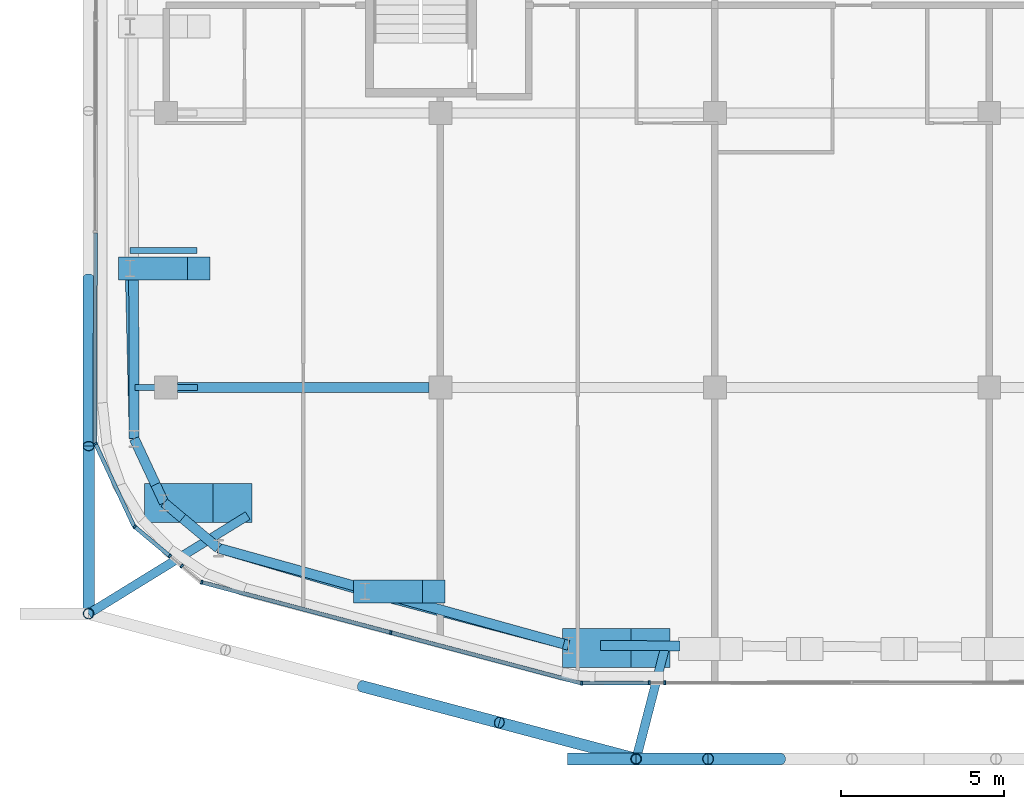
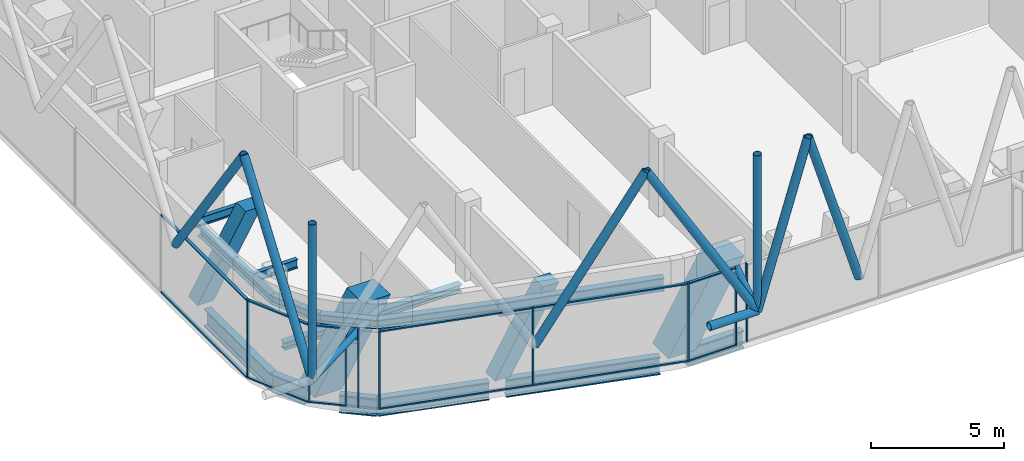
# One storey, part 2 of 25: 36 members, 14 beams, 9 elements without a shape of their own.
"""IFC4 building model written with IfcOpenShell, lengths in metres."""

from ifc_helpers import new_model, si_unit, direction, frame, origin, origin_2d, place, context, subcontext, project, spatial, rectangle, hollow_circle, i_section, extrude, material, layer, layer_set, material_profile, profile_set, type_object, element, aggregate, save


model = new_model("IFC4")

# Units and contexts
model_context = context("Model", 3, precision=1e-05, world=origin(), true_north=direction((0.0, 1.0)))
body_context = subcontext(model_context, "Body", "Model", "MODEL_VIEW")
ifc_project = project(units=[si_unit("LENGTHUNIT", "METRE"), si_unit("AREAUNIT", "SQUARE_METRE"), si_unit("VOLUMEUNIT", "CUBIC_METRE"), si_unit("PLANEANGLEUNIT", "RADIAN"), si_unit("MASSUNIT", "GRAM", prefix="KILO")], contexts=[model_context])

# Site, building, storey
site_placement = place(None, origin())
site = spatial("IfcSite", under=ifc_project, at=site_placement, CompositionType="ELEMENT")
building_placement = place(site_placement, origin())
building = spatial("IfcBuilding", under=site, at=building_placement, Name="Marenta Gate Hotel Tower", CompositionType="ELEMENT")
storey_placement = place(building_placement, frame((0.0, 0.0, 277.699951171875)))
storey = spatial("IfcBuildingStorey", under=building, at=storey_placement, Name="L64", CompositionType="ELEMENT", Elevation=277.699951171875)

# Members
ifc_material_1 = material(Name="Steel S355J2W", Category="steel")
ifc_material_profile_1 = material_profile(ifc_material_1, hollow_circle(Radius=0.161865234375, WallThickness=0.012451171875, at=origin_2d()), Name="CHS 323.9x12.5")
ifc_profile_set_1 = profile_set([ifc_material_profile_1], Name="Steel S355J2W")
member_type_1 = type_object("IfcMemberType", Name="Diagrid corner post C CHS 323.9x12.5", PredefinedType="POST", material=ifc_profile_set_1)
for number, where, z_axis, x_axis, name in (
    (1, (-6.60888671875, -36.570068359375, 3.14013671875), (0.0, 0.0, 1.0), (1.0, 0.0, 0.0), "L64-DR-10"),
    (2, (-23.3701171875, -32.123291015625, 3.14013671875), (0.0, 0.0, 1.0), (1.0, 0.0, 0.0), "L64-DR-11"),
):
    element("IfcMember", number, at=place(storey_placement, frame(where, z_axis=z_axis, x_axis=x_axis)), inside=storey, type_object=member_type_1, Name=name, PredefinedType="POST", context=body_context, shape_type="SweptSolid", body=[
        extrude(hollow_circle(Radius=0.161865234375, WallThickness=0.012451171875, at=origin_2d()), origin(), (0.0, 0.0, 1.0), 7.199951171875),
    ])
ifc_material_2 = material(Name="Steel S355J2W", Category="steel")
ifc_material_profile_2 = material_profile(ifc_material_2, hollow_circle(Radius=0.177734375, WallThickness=0.01611328125, at=origin_2d()), Name="CHS 355.6x16")
ifc_profile_set_2 = profile_set([ifc_material_profile_2], Name="Steel S355J2W")
member_type_2 = type_object("IfcMemberType", Name="Diagrid diagonal C CHS 355.6x16", PredefinedType="BRACE", material=ifc_profile_set_2)
member_1_placement = place(storey_placement, frame((-2.202880859375, -36.570068359375, 3.14013671875), z_axis=(-0.292599919446, 0.0, 0.956234953942), x_axis=(0.0, -1.0, 0.0)))
element("IfcMember", 3, at=member_1_placement, inside=storey, type_object=member_type_2, Name="L64-DG-19", PredefinedType="BRACE", context=body_context, shape_type="SweptSolid", body=[
    extrude(hollow_circle(Radius=0.177734375, WallThickness=0.01611328125, at=origin_2d()), origin(), (0.0, 0.0, 1.0), 7.529541015625),
])
member_2_placement = place(storey_placement, frame((-6.60888671875, -36.570068359375, 3.14013671875), z_axis=(0.292570270413, 0.0, 0.956244025796), x_axis=(0.0, 1.0, 0.0)))
element("IfcMember", 4, at=member_2_placement, inside=storey, type_object=member_type_2, Name="L64-DG-20", PredefinedType="BRACE", context=body_context, shape_type="SweptSolid", body=[
    extrude(hollow_circle(Radius=0.177734375, WallThickness=0.01611328125, at=origin_2d()), origin(), (0.0, 0.0, 1.0), 7.529296875),
])
member_3_placement = place(storey_placement, frame((-6.60888671875, -36.570068359375, 3.14013671875), z_axis=(-0.498595291069, 0.13228868303, 0.856681060878), x_axis=(-0.256449730421, -0.966557569815, 0.0)))
element("IfcMember", 5, at=member_3_placement, inside=storey, type_object=member_type_2, Name="L64-DG-21", PredefinedType="BRACE", context=body_context, shape_type="SweptSolid", body=[
    extrude(hollow_circle(Radius=0.177734375, WallThickness=0.01611328125, at=origin_2d()), origin(), (0.0, 0.0, 1.0), 8.404541015625),
])
member_4_placement = place(storey_placement, frame((-14.989501953125, -34.3466796875, 3.14013671875), z_axis=(0.498575378967, -0.132262057941, 0.856696760538), x_axis=(0.256411076507, 0.966567824751, 0.0)))
element("IfcMember", 6, at=member_4_placement, inside=storey, type_object=member_type_2, Name="L64-DG-22", PredefinedType="BRACE", context=body_context, shape_type="SweptSolid", body=[
    extrude(hollow_circle(Radius=0.177734375, WallThickness=0.01611328125, at=origin_2d()), origin(), (0.0, 0.0, 1.0), 8.404296875),
])
for number, where, z_axis, x_axis, name in (
    (7, (-23.3701171875, -32.123291015625, 3.14013671875), (0.0, 0.580231970533, 0.81445126335), (-1.0, 0.0, 0.0), "L64-DG-25"),
    (8, (-23.3701171875, -21.864501953125, 3.14013671875), (0.0, -0.580231970533, 0.81445126335), (1.0, 0.0, 0.0), "L64-DG-26"),
):
    element("IfcMember", number, at=place(storey_placement, frame(where, z_axis=z_axis, x_axis=x_axis)), inside=storey, type_object=member_type_2, Name=name, PredefinedType="BRACE", context=body_context, shape_type="SweptSolid", body=[
        extrude(hollow_circle(Radius=0.177734375, WallThickness=0.01611328125, at=origin_2d()), origin(), (0.0, 0.0, 1.0), 8.84033203125),
    ])

# Beams
ifc_material_3 = material(Name="Steel S355", Category="steel")
ifc_material_profile_3 = material_profile(ifc_material_3, i_section(OverallWidth=0.302978515625, OverallDepth=0.81396484375, WebThickness=0.030029296875, FlangeThickness=0.052001953125, FilletRadius=0.030029296875, at=origin_2d()), Name="HEM 800")
ifc_profile_set_3 = profile_set([ifc_material_profile_3], Name="Steel S355")
beam_type_1 = type_object("IfcBeamType", Name="Edge beam HEM 800", PredefinedType="SPANDREL", material=ifc_profile_set_3)
beam_1_placement = place(storey_placement, frame((-8.82763671875, -33.050048828125, -0.6669921875), z_axis=(-0.963628272095, 0.267246240794, 0.0), x_axis=(-0.267246240794, -0.963628272095, 0.0)))
element("IfcBeam", 9, at=beam_1_placement, inside=storey, type_object=beam_type_1, Name="L64-EB-1", PredefinedType="SPANDREL", context=body_context, shape_type="SweptSolid", body=[
    extrude(i_section(OverallWidth=0.302978515625, OverallDepth=0.81396484375, WebThickness=0.030029296875, FlangeThickness=0.052001953125, FilletRadius=0.030029296875, at=origin_2d()), origin(), (0.0, 0.0, 1.0), 5.985595703125),
])
beam_2_placement = place(storey_placement, frame((-15.21826171875, -31.277587890625, -0.6669921875), z_axis=(-0.963621892072, 0.26726924462, 0.0), x_axis=(-0.26726924462, -0.963621892072, 0.0)))
element("IfcBeam", 10, at=beam_2_placement, inside=storey, type_object=beam_type_1, Name="L64-EB-2", PredefinedType="SPANDREL", context=body_context, shape_type="SweptSolid", body=[
    extrude(i_section(OverallWidth=0.302978515625, OverallDepth=0.81396484375, WebThickness=0.030029296875, FlangeThickness=0.052001953125, FilletRadius=0.030029296875, at=origin_2d()), origin(), (0.0, 0.0, 1.0), 4.336181640625),
])
beam_3_placement = place(storey_placement, frame((-19.396728515625, -30.11865234375, -0.6669921875), z_axis=(-0.767142559017, 0.641476651286, 0.0), x_axis=(-0.641476651286, -0.767142559017, 0.0)))
element("IfcBeam", 11, at=beam_3_placement, inside=storey, type_object=beam_type_1, Name="L64-EB-3", PredefinedType="SPANDREL", context=body_context, shape_type="SweptSolid", body=[
    extrude(i_section(OverallWidth=0.302978515625, OverallDepth=0.81396484375, WebThickness=0.030029296875, FlangeThickness=0.052001953125, FilletRadius=0.030029296875, at=origin_2d()), origin(), (0.0, 0.0, 1.0), 1.429931640625),
])
beam_4_placement = place(storey_placement, frame((-21.320068359375, -28.169189453125, -0.6669921875), z_axis=(-0.423265429814, 0.90600572621, 0.0), x_axis=(-0.90600572621, -0.423265429814, 0.0)))
element("IfcBeam", 12, at=beam_4_placement, inside=storey, type_object=beam_type_1, Name="L64-EB-4", PredefinedType="SPANDREL", context=body_context, shape_type="SweptSolid", body=[
    extrude(i_section(OverallWidth=0.302978515625, OverallDepth=0.81396484375, WebThickness=0.030029296875, FlangeThickness=0.052001953125, FilletRadius=0.030029296875, at=origin_2d()), origin(), (0.0, 0.0, 1.0), 1.547607421875),
])
beam_5_placement = place(storey_placement, frame((-21.97509765625, -26.76708984375, -0.6669921875), z_axis=(-0.003334642021, 0.999994440066, 0.0), x_axis=(-0.999994440066, -0.003334642021, 0.0)))
element("IfcBeam", 13, at=beam_5_placement, inside=storey, type_object=beam_type_1, Name="L64-EB-5", PredefinedType="SPANDREL", context=body_context, shape_type="SweptSolid", body=[
    extrude(i_section(OverallWidth=0.302978515625, OverallDepth=0.81396484375, WebThickness=0.030029296875, FlangeThickness=0.052001953125, FilletRadius=0.030029296875, at=origin_2d()), origin(), (0.0, 0.0, 1.0), 4.9052734375),
])
beam_6_placement = place(storey_placement, frame((-5.27001953125, -33.107666015625, -0.6669921875), z_axis=(-0.999988431664, 0.004810045568, 0.0), x_axis=(-0.004810045568, -0.999988431664, 0.0)))
element("IfcBeam", 14, at=beam_6_placement, inside=storey, type_object=beam_type_1, Name="L64-EB-35", PredefinedType="SPANDREL", context=body_context, shape_type="SweptSolid", body=[
    extrude(i_section(OverallWidth=0.302978515625, OverallDepth=0.81396484375, WebThickness=0.030029296875, FlangeThickness=0.052001953125, FilletRadius=0.030029296875, at=origin_2d()), origin(), (0.0, 0.0, 1.0), 2.436279296875),
])

# Members
ifc_material_4 = material(Name="Concrete C50", Category="concrete")
ifc_material_profile_4 = material_profile(ifc_material_4, rectangle(XDim=0.699951171875, YDim=0.699951171875, at=origin_2d()), Name="700 x 700")
ifc_profile_set_4 = profile_set([ifc_material_profile_4], Name="Concrete C50")
member_type_3 = type_object("IfcMemberType", Name="Edge column raked 700 x 700 C50", PredefinedType="STRUT", material=ifc_profile_set_4)
member_5_placement = place(storey_placement, frame((-22.10009765625, -21.552001953125, 0.0), z_axis=(0.0, 0.0, 1.0), x_axis=(1.0, 0.0, 0.0)))
element("IfcMember", 15, at=member_5_placement, inside=storey, type_object=member_type_3, Name="L64-EC-SW-W-1", PredefinedType="STRUT", context=body_context, shape_type="SweptSolid", body=[
    extrude(rectangle(XDim=0.699951171875, YDim=0.699951171875, at=origin_2d()), origin(), (0.503878309678, 0.0, 0.863774651768), 4.16796875),
])
member_6_placement = place(storey_placement, frame((-14.90673828125, -31.439208984375, 0.0), z_axis=(0.0, 0.0, 1.0), x_axis=(1.0, 0.0, 0.0)))
element("IfcMember", 16, at=member_6_placement, inside=storey, type_object=member_type_3, Name="L64-EC-SKW-SW-1", PredefinedType="STRUT", context=body_context, shape_type="SweptSolid", body=[
    extrude(rectangle(XDim=0.699951171875, YDim=0.699951171875, at=origin_2d()), origin(), (0.503834603144, 0.0, 0.863800146258), 4.167724609375),
])
ifc_material_5 = material(Name="Steel S355J2W", Category="steel")
ifc_material_profile_5 = material_profile(ifc_material_5, hollow_circle(Radius=0.136474609375, WallThickness=0.012451171875, at=origin_2d()), Name="CHS 273x12.5")
ifc_profile_set_5 = profile_set([ifc_material_profile_5], Name="Steel S355J2W")
member_type_4 = type_object("IfcMemberType", Name="Floor tie CHS 273x12.5", PredefinedType="STRUT", material=ifc_profile_set_5)
member_7_placement = place(storey_placement, frame((-6.60888671875, -36.570068359375, 3.14013671875), z_axis=(0.251122714471, 0.967955258406, 0.0), x_axis=(-0.967955258406, 0.251122714471, 0.0)))
element("IfcMember", 17, at=member_7_placement, inside=storey, type_object=member_type_4, Name="L64-DR-16", PredefinedType="STRUT", context=body_context, shape_type="SweptSolid", body=[
    extrude(hollow_circle(Radius=0.136474609375, WallThickness=0.012451171875, at=origin_2d()), origin(), (0.0, 0.0, 1.0), 3.58837890625),
])
member_8_placement = place(storey_placement, frame((-23.3701171875, -32.123291015625, 3.14013671875), z_axis=(0.851303631922, 0.524673351978, 0.0), x_axis=(-0.524673351978, 0.851303631922, 0.0)))
element("IfcMember", 18, at=member_8_placement, inside=storey, type_object=member_type_4, Name="L64-DR-17", PredefinedType="STRUT", context=body_context, shape_type="SweptSolid", body=[
    extrude(hollow_circle(Radius=0.136474609375, WallThickness=0.012451171875, at=origin_2d()), origin(), (0.0, 0.0, 1.0), 5.722412109375),
])

# Beam
ifc_material_6 = material(Name="Steel S355", Category="steel")
ifc_material_profile_6 = material_profile(ifc_material_6, i_section(OverallWidth=0.300048828125, OverallDepth=0.340087890625, WebThickness=0.011962890625, FlangeThickness=0.021484375, FilletRadius=0.027099609375, at=origin_2d()), Name="HEB 340")
ifc_profile_set_6 = profile_set([ifc_material_profile_6], Name="Steel S355")
beam_type_2 = type_object("IfcBeamType", Name="Girder HEB 340", PredefinedType="BEAM", material=ifc_profile_set_6)
beam_7_placement = place(storey_placement, frame((-20.64990234375, -25.199951171875, -0.429931640625), z_axis=(1.0, 0.0, 0.0), x_axis=(0.0, 1.0, 0.0)))
element("IfcBeam", 19, at=beam_7_placement, inside=storey, type_object=beam_type_2, Name="L64-GD-1", PredefinedType="BEAM", context=body_context, shape_type="SweptSolid", body=[
    extrude(i_section(OverallWidth=0.300048828125, OverallDepth=0.340087890625, WebThickness=0.011962890625, FlangeThickness=0.021484375, FilletRadius=0.027099609375, at=origin_2d()), origin(), (0.0, 0.0, 1.0), 7.699951171875),
])

# Members
ifc_material_7 = material(Name="Concrete C50", Category="concrete")
ifc_material_profile_7 = material_profile(ifc_material_7, rectangle(XDim=1.199951171875, YDim=1.199951171875, at=origin_2d()), Name="1200 x 1200")
ifc_profile_set_7 = profile_set([ifc_material_profile_7], Name="Concrete C50")
member_type_5 = type_object("IfcMemberType", Name="Mega column raked 1200 x 1200 C50", PredefinedType="STRUT", material=ifc_profile_set_7)
for number, where, z_axis, x_axis, name in (
    (20, (-21.06298828125, -28.73291015625, 0.0), (0.0, 0.0, 1.0), (1.0, 0.0, 0.0), "L64-MC-SW"),
    (21, (-8.266357421875, -33.1748046875, 0.0), (0.0, 0.0, 1.0), (1.0, 0.0, 0.0), "L64-MC-SKW"),
):
    element("IfcMember", number, at=place(storey_placement, frame(where, z_axis=z_axis, x_axis=x_axis)), inside=storey, type_object=member_type_5, Name=name, PredefinedType="STRUT", context=body_context, shape_type="SweptSolid", body=[
        extrude(rectangle(XDim=1.199951171875, YDim=1.199951171875, at=origin_2d()), origin(), (0.503878309678, 0.0, 0.863774651768), 4.16796875),
    ])

# Curtain wall, member
ifc_material_8 = material(Name="Tinted insulated glass in bronze anodised frame", Category="glass")
ifc_layer = layer(ifc_material_8, 0.1201171875)
ifc_layer_set = layer_set([ifc_layer], Name="Tinted insulated glass in bronze anodised frame")
curtain_wall_type = type_object("IfcCurtainWallType", Name="Tower unitised curtain wall CW1", PredefinedType="NOTDEFINED", material=ifc_layer_set)
curtain_wall_1_placement = place(storey_placement, origin())
curtain_wall_1 = element("IfcCurtainWall", 22, at=curtain_wall_1_placement, inside=storey, type_object=curtain_wall_type, Name="CW1 run G05", PredefinedType="NOTDEFINED")
ifc_material_9 = material(Name="Bronze anodised aluminium", Category="aluminium")
ifc_material_profile_8 = material_profile(ifc_material_9, rectangle(XDim=0.1201171875, YDim=0.06005859375, at=origin_2d()), Name="Mullion CW1 60x120 bronze anodised aluminium")
ifc_profile_set_8 = profile_set([ifc_material_profile_8], Name="Bronze anodised aluminium")
member_type_6 = type_object("IfcMemberType", Name="Mullion CW1 60x120 bronze anodised aluminium", PredefinedType="MULLION", material=ifc_profile_set_8)
member_9_placement = place(storey_placement, frame((-23.160400390625, -26.9208984375, 0.0), z_axis=(0.0, 0.0, 1.0), x_axis=(0.905972194447, 0.42333719762, 0.0)))
member_9 = element("IfcMember", 23, at=member_9_placement, type_object=member_type_6, Name="CW1 mullion 1", PredefinedType="MULLION", context=body_context, shape_type="SweptSolid", body=[
    extrude(rectangle(XDim=0.1201171875, YDim=0.06005859375, at=origin_2d()), origin(), (0.0, 0.0, 1.0), 3.60009765625),
])

curtain_wall_2_placement = place(storey_placement, origin())
curtain_wall_2 = element("IfcCurtainWall", 24, at=curtain_wall_2_placement, inside=storey, type_object=curtain_wall_type, Name="CW1 run G06", PredefinedType="NOTDEFINED")
member_10_placement = place(storey_placement, frame((-21.9599609375, -29.4599609375, 0.0), z_axis=(0.0, 0.0, 1.0), x_axis=(0.641517028686, 0.767108794048, 0.0)))
member_10 = element("IfcMember", 25, at=member_10_placement, type_object=member_type_6, Name="CW1 mullion 1", PredefinedType="MULLION", context=body_context, shape_type="SweptSolid", body=[
    extrude(rectangle(XDim=0.1201171875, YDim=0.06005859375, at=origin_2d()), origin(), (0.0, 0.0, 1.0), 3.60009765625),
])

curtain_wall_3_placement = place(storey_placement, origin())
curtain_wall_3 = element("IfcCurtainWall", 26, at=curtain_wall_3_placement, inside=storey, type_object=curtain_wall_type, Name="CW1 run G07", PredefinedType="NOTDEFINED")
member_11_placement = place(storey_placement, frame((-20.885009765625, -30.35888671875, 0.0), z_axis=(0.0, 0.0, 1.0), x_axis=(0.641604484347, 0.767035648237, 0.0)))
member_11 = element("IfcMember", 27, at=member_11_placement, type_object=member_type_6, Name="CW1 mullion 1", PredefinedType="MULLION", context=body_context, shape_type="SweptSolid", body=[
    extrude(rectangle(XDim=0.1201171875, YDim=0.06005859375, at=origin_2d()), origin(), (0.0, 0.0, 1.0), 3.00048828125),
])
aggregate(curtain_wall_3, [member_11])

curtain_wall_4_placement = place(storey_placement, origin())
curtain_wall_4 = element("IfcCurtainWall", 28, at=curtain_wall_4_placement, inside=storey, type_object=curtain_wall_type, Name="CW1 run G08", PredefinedType="NOTDEFINED")
member_12_placement = place(storey_placement, frame((-20.5185546875, -30.665283203125, 0.0), z_axis=(0.0, 0.0, 1.0), x_axis=(0.641490224369, 0.767131209141, 0.0)))
member_12 = element("IfcMember", 29, at=member_12_placement, type_object=member_type_6, Name="CW1 mullion 1", PredefinedType="MULLION", context=body_context, shape_type="SweptSolid", body=[
    extrude(rectangle(XDim=0.1201171875, YDim=0.06005859375, at=origin_2d()), origin(), (0.0, 0.0, 1.0), 3.60009765625),
])
aggregate(curtain_wall_4, [member_12])

# Curtain wall, members
curtain_wall_5_placement = place(storey_placement, origin())
curtain_wall_5 = element("IfcCurtainWall", 30, at=curtain_wall_5_placement, inside=storey, type_object=curtain_wall_type, Name="CW1 run G09", PredefinedType="NOTDEFINED")
member_13_placement = place(storey_placement, frame((-19.90625, -31.160888671875, 0.0), z_axis=(0.0, 0.0, 1.0), x_axis=(0.257133501765, 0.966375890775, 0.0)))
member_13 = element("IfcMember", 31, at=member_13_placement, type_object=member_type_6, Name="CW1 mullion 1", PredefinedType="MULLION", context=body_context, shape_type="SweptSolid", body=[
    extrude(rectangle(XDim=0.1201171875, YDim=0.06005859375, at=origin_2d()), origin(), (0.0, 0.0, 1.0), 3.60009765625),
])
member_14_placement = place(storey_placement, frame((-14.12060546875, -32.7001953125, 0.0), z_axis=(0.0, 0.0, 1.0), x_axis=(0.257133501765, 0.966375890775, 0.0)))
member_14 = element("IfcMember", 32, at=member_14_placement, type_object=member_type_6, Name="CW1 mullion 2", PredefinedType="MULLION", context=body_context, shape_type="SweptSolid", body=[
    extrude(rectangle(XDim=0.1201171875, YDim=0.06005859375, at=origin_2d()), origin(), (0.0, 0.0, 1.0), 3.60009765625),
])

# Curtain wall, member
curtain_wall_6_placement = place(storey_placement, origin())
curtain_wall_6 = element("IfcCurtainWall", 33, at=curtain_wall_6_placement, inside=storey, type_object=curtain_wall_type, Name="CW1 run G10", PredefinedType="NOTDEFINED")
member_15_placement = place(storey_placement, frame((-8.276123046875, -34.247314453125, 0.0), z_axis=(0.0, 0.0, 1.0), x_axis=(-0.002080405783, 0.999997835954, 0.0)))
member_15 = element("IfcMember", 34, at=member_15_placement, type_object=member_type_6, Name="CW1 mullion 1", PredefinedType="MULLION", context=body_context, shape_type="SweptSolid", body=[
    extrude(rectangle(XDim=0.1201171875, YDim=0.06005859375, at=origin_2d()), origin(), (0.0, 0.0, 1.0), 3.60009765625),
])

curtain_wall_7_placement = place(storey_placement, origin())
curtain_wall_7 = element("IfcCurtainWall", 35, at=curtain_wall_7_placement, inside=storey, type_object=curtain_wall_type, Name="CW1 run G11", PredefinedType="NOTDEFINED")
member_16_placement = place(storey_placement, frame((-6.209228515625, -34.2431640625, 0.0), z_axis=(0.0, 0.0, 1.0), x_axis=(-0.001921841419, 0.999998153261, 0.0)))
member_16 = element("IfcMember", 36, at=member_16_placement, type_object=member_type_6, Name="CW1 mullion 1", PredefinedType="MULLION", context=body_context, shape_type="SweptSolid", body=[
    extrude(rectangle(XDim=0.1201171875, YDim=0.06005859375, at=origin_2d()), origin(), (0.0, 0.0, 1.0), 3.00048828125),
])
aggregate(curtain_wall_7, [member_16])

curtain_wall_8_placement = place(storey_placement, origin())
curtain_wall_8 = element("IfcCurtainWall", 37, at=curtain_wall_8_placement, inside=storey, type_object=curtain_wall_type, Name="CW1 run G12", PredefinedType="NOTDEFINED")
member_17_placement = place(storey_placement, frame((-5.740966796875, -34.2421875, 0.0), z_axis=(0.0, 0.0, 1.0), x_axis=(-0.00206317394, 0.999997871654, 0.0)))
member_17 = element("IfcMember", 38, at=member_17_placement, type_object=member_type_6, Name="CW1 mullion 1", PredefinedType="MULLION", context=body_context, shape_type="SweptSolid", body=[
    extrude(rectangle(XDim=0.1201171875, YDim=0.06005859375, at=origin_2d()), origin(), (0.0, 0.0, 1.0), 3.60009765625),
])
aggregate(curtain_wall_8, [member_17])

# Member
ifc_material_10 = material(Name="Steel S355J2W", Category="steel")
ifc_material_profile_9 = material_profile(ifc_material_10, hollow_circle(Radius=0.177734375, WallThickness=0.01611328125, at=origin_2d()), Name="CHS 355.6x16")
ifc_profile_set_9 = profile_set([ifc_material_profile_9], Name="Steel S355J2W")
member_type_7 = type_object("IfcMemberType", Name="Setback strut CHS 355.6x16", PredefinedType="STRUT", material=ifc_profile_set_9)
member_18_placement = place(storey_placement, frame((-8.708984375, -36.570068359375, 3.14013671875), z_axis=(1.0, 0.0, 0.0), x_axis=(0.0, 1.0, 0.0)))
element("IfcMember", 39, at=member_18_placement, inside=storey, type_object=member_type_7, Name="L64-DR-4", PredefinedType="STRUT", context=body_context, shape_type="SweptSolid", body=[
    extrude(hollow_circle(Radius=0.177734375, WallThickness=0.01611328125, at=origin_2d()), origin(), (0.0, 0.0, 1.0), 2.10009765625),
])

# Beams
ifc_material_11 = material(Name="Steel S355", Category="steel")
ifc_material_profile_10 = material_profile(ifc_material_11, i_section(OverallWidth=0.179931640625, OverallDepth=0.39990234375, WebThickness=0.008544921875, FlangeThickness=0.013427734375, FilletRadius=0.02099609375, at=origin_2d()), Name="IPE 400")
ifc_profile_set_10 = profile_set([ifc_material_profile_10], Name="Steel S355")
beam_type_3 = type_object("IfcBeamType", Name="Terrace beam IPE 400", PredefinedType="JOIST", material=ifc_profile_set_10)
beam_8_placement = place(storey_placement, frame((-21.948974609375, -25.199951171875, 3.14013671875), z_axis=(1.0, 0.0, 0.0), x_axis=(0.0, 1.0, 0.0)))
element("IfcBeam", 40, at=beam_8_placement, inside=storey, type_object=beam_type_3, Name="L64-TB-11", PredefinedType="JOIST", context=body_context, shape_type="SweptSolid", body=[
    extrude(i_section(OverallWidth=0.179931640625, OverallDepth=0.39990234375, WebThickness=0.008544921875, FlangeThickness=0.013427734375, FilletRadius=0.02099609375, at=origin_2d()), origin(), (0.0, 0.0, 1.0), 1.917724609375),
])
beam_9_placement = place(storey_placement, frame((-22.10009765625, -21.0, 3.14013671875), z_axis=(1.0, 0.0, 0.0), x_axis=(0.0, 1.0, 0.0)))
element("IfcBeam", 41, at=beam_9_placement, inside=storey, type_object=beam_type_3, Name="L64-TB-12", PredefinedType="JOIST", context=body_context, shape_type="SweptSolid", body=[
    extrude(i_section(OverallWidth=0.179931640625, OverallDepth=0.39990234375, WebThickness=0.008544921875, FlangeThickness=0.013427734375, FilletRadius=0.02099609375, at=origin_2d()), origin(), (0.0, 0.0, 1.0), 2.0546875),
])
ifc_material_12 = material(Name="Steel S355", Category="steel")
ifc_material_profile_11 = material_profile(ifc_material_12, i_section(OverallWidth=0.300048828125, OverallDepth=0.39990234375, WebThickness=0.013427734375, FlangeThickness=0.02392578125, FilletRadius=0.027099609375, at=origin_2d()), Name="HEB 400")
ifc_profile_set_11 = profile_set([ifc_material_profile_11], Name="Steel S355")
beam_type_4 = type_object("IfcBeamType", Name="Terrace edge beam HEB 400", PredefinedType="SPANDREL", material=ifc_profile_set_11)
beam_10_placement = place(storey_placement, frame((-14.90673828125, -31.439208984375, 3.14013671875), z_axis=(-0.959367162861, 0.282160675543, 0.0), x_axis=(-0.282160675543, -0.959367162861, 0.0)))
element("IfcBeam", 42, at=beam_10_placement, inside=storey, type_object=beam_type_4, Name="L64-TE-2", PredefinedType="SPANDREL", context=body_context, shape_type="SweptSolid", body=[
    extrude(i_section(OverallWidth=0.300048828125, OverallDepth=0.39990234375, WebThickness=0.013427734375, FlangeThickness=0.02392578125, FilletRadius=0.027099609375, at=origin_2d()), origin(), (0.0, 0.0, 1.0), 4.68017578125),
])
beam_11_placement = place(storey_placement, frame((-19.396728515625, -30.11865234375, 3.14013671875), z_axis=(-0.76714847247, 0.641469579316, 0.0), x_axis=(-0.641469579316, -0.76714847247, 0.0)))
element("IfcBeam", 43, at=beam_11_placement, inside=storey, type_object=beam_type_4, Name="L64-TE-3", PredefinedType="SPANDREL", context=body_context, shape_type="SweptSolid", body=[
    extrude(i_section(OverallWidth=0.300048828125, OverallDepth=0.39990234375, WebThickness=0.013427734375, FlangeThickness=0.02392578125, FilletRadius=0.027099609375, at=origin_2d()), origin(), (0.0, 0.0, 1.0), 2.166015625),
])
beam_12_placement = place(storey_placement, frame((-21.058349609375, -28.729248046875, 3.14013671875), z_axis=(-0.423292723631, 0.905992974653, 0.0), x_axis=(-0.905992974653, -0.423292723631, 0.0)))
element("IfcBeam", 44, at=beam_12_placement, inside=storey, type_object=beam_type_4, Name="L64-TE-4", PredefinedType="SPANDREL", context=body_context, shape_type="SweptSolid", body=[
    extrude(i_section(OverallWidth=0.300048828125, OverallDepth=0.39990234375, WebThickness=0.013427734375, FlangeThickness=0.02392578125, FilletRadius=0.027099609375, at=origin_2d()), origin(), (0.0, 0.0, 1.0), 2.165771484375),
])
beam_13_placement = place(storey_placement, frame((-21.97509765625, -26.76708984375, 3.14013671875), z_axis=(-0.023962033101, 0.999712869263, 0.0), x_axis=(-0.999712869263, -0.023962033101, 0.0)))
element("IfcBeam", 45, at=beam_13_placement, inside=storey, type_object=beam_type_4, Name="L64-TE-5", PredefinedType="SPANDREL", context=body_context, shape_type="SweptSolid", body=[
    extrude(i_section(OverallWidth=0.300048828125, OverallDepth=0.39990234375, WebThickness=0.013427734375, FlangeThickness=0.02392578125, FilletRadius=0.027099609375, at=origin_2d()), origin(), (0.0, 0.0, 1.0), 5.216552734375),
])
ifc_material_13 = material(Name="Steel S355", Category="steel")
ifc_material_profile_12 = material_profile(ifc_material_13, i_section(OverallWidth=0.300048828125, OverallDepth=0.60009765625, WebThickness=0.015380859375, FlangeThickness=0.030029296875, FilletRadius=0.027099609375, at=origin_2d()), Name="HEB 600")
ifc_profile_set_12 = profile_set([ifc_material_profile_12], Name="Steel S355")
beam_type_5 = type_object("IfcBeamType", Name="Terrace edge beam HEB 600", PredefinedType="SPANDREL", material=ifc_profile_set_12)
beam_14_placement = place(storey_placement, frame((-8.678955078125, -33.09130859375, 3.0400390625), z_axis=(-0.966568074256, 0.256410135971, 0.0), x_axis=(-0.256410135971, -0.966568074256, 0.0)))
element("IfcBeam", 46, at=beam_14_placement, inside=storey, type_object=beam_type_5, Name="L64-TE-1", PredefinedType="SPANDREL", context=body_context, shape_type="SweptSolid", body=[
    extrude(i_section(OverallWidth=0.300048828125, OverallDepth=0.60009765625, WebThickness=0.015380859375, FlangeThickness=0.030029296875, FilletRadius=0.027099609375, at=origin_2d()), origin(), (0.0, 0.0, 1.0), 6.443115234375),
])

# Curtain wall, members
curtain_wall_9_placement = place(storey_placement, origin())
curtain_wall_9 = element("IfcCurtainWall", 47, at=curtain_wall_9_placement, inside=storey, type_object=curtain_wall_type, Name="CW1 run G04", PredefinedType="NOTDEFINED")
ifc_material_14 = material(Name="Bronze anodised aluminium", Category="aluminium")
ifc_material_profile_13 = material_profile(ifc_material_14, rectangle(XDim=0.1201171875, YDim=0.06005859375, at=origin_2d()), Name="Transom CW1 60x120 bronze anodised aluminium")
ifc_profile_set_13 = profile_set([ifc_material_profile_13], Name="Bronze anodised aluminium")
member_type_8 = type_object("IfcMemberType", Name="Transom CW1 60x120 bronze anodised aluminium", PredefinedType="USERDEFINED", material=ifc_profile_set_13)
member_19_placement = place(storey_placement, frame((-23.162841796875, -20.4638671875, 0.030029296875), z_axis=(-0.001594712632, -0.999998728445, 0.0), x_axis=(0.999998728445, -0.001594712632, 0.0)))
member_19 = element("IfcMember", 48, at=member_19_placement, type_object=member_type_8, Name="CW1 transom 6.1", ObjectType="TRANSOM", PredefinedType="USERDEFINED", context=body_context, shape_type="SweptSolid", body=[
    extrude(rectangle(XDim=0.1201171875, YDim=0.06005859375, at=origin_2d()), origin(), (0.0, 0.0, 1.0), 6.429931640625),
])
member_20_placement = place(storey_placement, frame((-23.162841796875, -20.4638671875, 3.570068359375), z_axis=(-0.001594712632, -0.999998728445, 0.0), x_axis=(0.999998728445, -0.001594712632, 0.0)))
member_20 = element("IfcMember", 49, at=member_20_placement, type_object=member_type_8, Name="CW1 transom 6.2", ObjectType="TRANSOM", PredefinedType="USERDEFINED", context=body_context, shape_type="SweptSolid", body=[
    extrude(rectangle(XDim=0.1201171875, YDim=0.06005859375, at=origin_2d()), origin(), (0.0, 0.0, 1.0), 6.429931640625),
])
aggregate(curtain_wall_9, [member_19, member_20])

# Member
member_21_placement = place(storey_placement, frame((-23.147705078125, -26.9482421875, 0.030029296875), z_axis=(0.423380923875, -0.905951761022, 0.0), x_axis=(0.905951761022, 0.423380923875, 0.0)))
member_21 = element("IfcMember", 50, at=member_21_placement, type_object=member_type_8, Name="CW1 transom 1.1", ObjectType="TRANSOM", PredefinedType="USERDEFINED", context=body_context, shape_type="SweptSolid", body=[
    extrude(rectangle(XDim=0.1201171875, YDim=0.06005859375, at=origin_2d()), origin(), (0.0, 0.0, 1.0), 2.751220703125),
])

member_22_placement = place(storey_placement, frame((-23.147705078125, -26.9482421875, 3.570068359375), z_axis=(0.423380923875, -0.905951761022, 0.0), x_axis=(0.905951761022, 0.423380923875, 0.0)))
member_22 = element("IfcMember", 51, at=member_22_placement, type_object=member_type_8, Name="CW1 transom 1.2", ObjectType="TRANSOM", PredefinedType="USERDEFINED", context=body_context, shape_type="SweptSolid", body=[
    extrude(rectangle(XDim=0.1201171875, YDim=0.06005859375, at=origin_2d()), origin(), (0.0, 0.0, 1.0), 2.751220703125),
])

aggregate(curtain_wall_1, [member_9, member_21, member_22])

member_23_placement = place(storey_placement, frame((-21.936767578125, -29.479248046875, 0.030029296875), z_axis=(0.767115960734, -0.641508458858, 0.0), x_axis=(0.641508458858, 0.767115960734, 0.0)))
member_23 = element("IfcMember", 52, at=member_23_placement, type_object=member_type_8, Name="CW1 transom 1.1", ObjectType="TRANSOM", PredefinedType="USERDEFINED", context=body_context, shape_type="SweptSolid", body=[
    extrude(rectangle(XDim=0.1201171875, YDim=0.06005859375, at=origin_2d()), origin(), (0.0, 0.0, 1.0), 1.341064453125),
])

member_24_placement = place(storey_placement, frame((-21.936767578125, -29.479248046875, 3.570068359375), z_axis=(0.767115960734, -0.641508458858, 0.0), x_axis=(0.641508458858, 0.767115960734, 0.0)))
member_24 = element("IfcMember", 53, at=member_24_placement, type_object=member_type_8, Name="CW1 transom 1.2", ObjectType="TRANSOM", PredefinedType="USERDEFINED", context=body_context, shape_type="SweptSolid", body=[
    extrude(rectangle(XDim=0.1201171875, YDim=0.06005859375, at=origin_2d()), origin(), (0.0, 0.0, 1.0), 1.341064453125),
])

aggregate(curtain_wall_2, [member_10, member_23, member_24])

member_25_placement = place(storey_placement, frame((-19.877197265625, -31.16845703125, 0.030029296875), z_axis=(0.966368129293, -0.257162669701, 0.0), x_axis=(0.257162669701, 0.966368129293, 0.0)))
member_25 = element("IfcMember", 54, at=member_25_placement, type_object=member_type_8, Name="CW1 transom 1.1", ObjectType="TRANSOM", PredefinedType="USERDEFINED", context=body_context, shape_type="SweptSolid", body=[
    extrude(rectangle(XDim=0.1201171875, YDim=0.06005859375, at=origin_2d()), origin(), (0.0, 0.0, 1.0), 5.9267578125),
])

member_26_placement = place(storey_placement, frame((-19.877197265625, -31.16845703125, 3.570068359375), z_axis=(0.966368129293, -0.257162669701, 0.0), x_axis=(0.257162669701, 0.966368129293, 0.0)))
member_26 = element("IfcMember", 55, at=member_26_placement, type_object=member_type_8, Name="CW1 transom 1.2", ObjectType="TRANSOM", PredefinedType="USERDEFINED", context=body_context, shape_type="SweptSolid", body=[
    extrude(rectangle(XDim=0.1201171875, YDim=0.06005859375, at=origin_2d()), origin(), (0.0, 0.0, 1.0), 5.9267578125),
])

member_27_placement = place(storey_placement, frame((-14.091796875, -32.7080078125, 0.030029296875), z_axis=(0.966381654848, -0.257111837869, 0.0), x_axis=(0.257111837869, 0.966381654848, 0.0)))
member_27 = element("IfcMember", 56, at=member_27_placement, type_object=member_type_8, Name="CW1 transom 2.1", ObjectType="TRANSOM", PredefinedType="USERDEFINED", context=body_context, shape_type="SweptSolid", body=[
    extrude(rectangle(XDim=0.1201171875, YDim=0.06005859375, at=origin_2d()), origin(), (0.0, 0.0, 1.0), 5.98681640625),
])

member_28_placement = place(storey_placement, frame((-14.091796875, -32.7080078125, 3.570068359375), z_axis=(0.966381654848, -0.257111837869, 0.0), x_axis=(0.257111837869, 0.966381654848, 0.0)))
member_28 = element("IfcMember", 57, at=member_28_placement, type_object=member_type_8, Name="CW1 transom 2.2", ObjectType="TRANSOM", PredefinedType="USERDEFINED", context=body_context, shape_type="SweptSolid", body=[
    extrude(rectangle(XDim=0.1201171875, YDim=0.06005859375, at=origin_2d()), origin(), (0.0, 0.0, 1.0), 5.98681640625),
])

aggregate(curtain_wall_5, [member_13, member_14, member_25, member_26, member_27, member_28])

member_29_placement = place(storey_placement, frame((-8.24609375, -34.247314453125, 0.030029296875), z_axis=(0.999997861433, 0.002068122098, 0.0), x_axis=(-0.002068122098, 0.999997861433, 0.0)))
member_29 = element("IfcMember", 58, at=member_29_placement, type_object=member_type_8, Name="CW1 transom 1.1", ObjectType="TRANSOM", PredefinedType="USERDEFINED", context=body_context, shape_type="SweptSolid", body=[
    extrude(rectangle(XDim=0.1201171875, YDim=0.06005859375, at=origin_2d()), origin(), (0.0, 0.0, 1.0), 2.0068359375),
])

member_30_placement = place(storey_placement, frame((-8.24609375, -34.247314453125, 3.570068359375), z_axis=(0.999997861433, 0.002068122098, 0.0), x_axis=(-0.002068122098, 0.999997861433, 0.0)))
member_30 = element("IfcMember", 59, at=member_30_placement, type_object=member_type_8, Name="CW1 transom 1.2", ObjectType="TRANSOM", PredefinedType="USERDEFINED", context=body_context, shape_type="SweptSolid", body=[
    extrude(rectangle(XDim=0.1201171875, YDim=0.06005859375, at=origin_2d()), origin(), (0.0, 0.0, 1.0), 2.0068359375),
])

aggregate(curtain_wall_6, [member_15, member_29, member_30])

save(model, "model.ifc")
